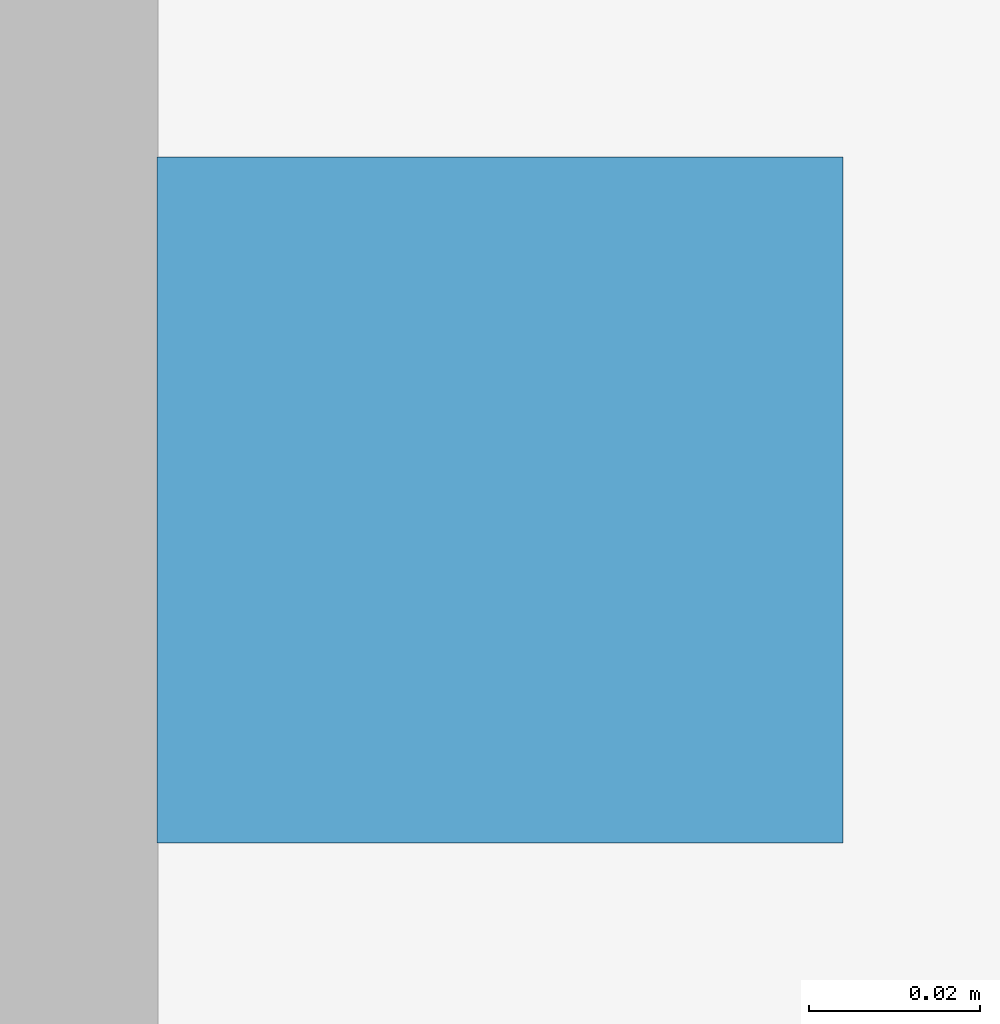
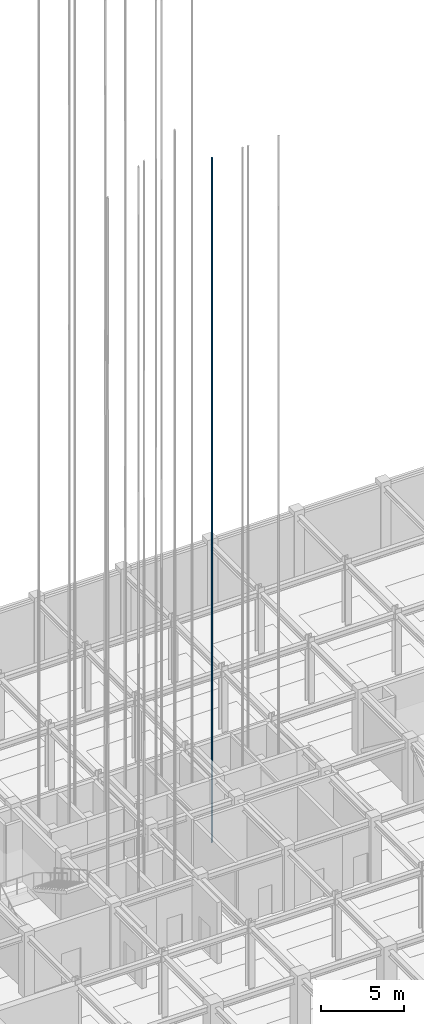
# One storey, part 64 of 69: 1 discrete accessory.
"""IFC4 building model written with IfcOpenShell, lengths in metres."""

import ifcopenshell
import ifcopenshell.guid

model = None  # the IFC model being written
_history = None  # IfcOwnerHistory: only IFC2X3 demands one
_inside = {}  # id of a spatial element -> (the spatial element, [elements in it])
_under = {}  # id of a project, library or spatial element -> (it, [spatial elements below it])
_declared = {}  # id of a project -> (the project, [libraries it declares])
_typed = {}  # id of a type object -> (the type object, [elements of that type])
_made_of = {}  # id of a material, layer set ... -> (it, [elements and type objects made of it])


def new_model(schema):
    """Start an empty IFC model of exactly this schema.

    Asked for "IFC4X3", IfcOpenShell would pick the latest addendum, in which some entities
    have other attributes; the version numbers below select the first issue.
    IFC2X3 requires an IfcOwnerHistory on every rooted entity: one is made here for all.
    """
    global model, _history
    if schema == "IFC4X3":
        model = ifcopenshell.file(schema_version=(4, 3, 0, 0))
    else:
        model = ifcopenshell.file(schema=schema)
    _inside.clear()
    _under.clear()
    _declared.clear()
    _typed.clear()
    _made_of.clear()
    _history = None
    if model.schema == "IFC2X3":
        org = make("IfcOrganization", Name="unknown")
        user = make(
            "IfcPersonAndOrganization",
            ThePerson=make("IfcPerson", FamilyName="unknown"),
            TheOrganization=org,
        )
        app = make(
            "IfcApplication",
            ApplicationDeveloper=org,
            Version="unknown",
            ApplicationFullName="unknown",
            ApplicationIdentifier="unknown",
        )
        _history = make(
            "IfcOwnerHistory",
            OwningUser=user,
            OwningApplication=app,
            ChangeAction="ADDED",
            CreationDate=0,
        )
    return model


def make(cls, **values):
    """One entity of the class cls with the attributes given. An attribute that is None is left unset."""
    return model.create_entity(
        cls, **{name: value for name, value in values.items() if value is not None}
    )


def rooted(cls, **values):
    """An entity with a GlobalId (a new one), such as an element, a storey or a relation."""
    return make(cls, GlobalId=ifcopenshell.guid.new(), OwnerHistory=_history, **values)


def si_unit(unit_type, name, prefix=None):
    """IfcSIUnit, for example si_unit("LENGTHUNIT", "METRE", prefix="MILLI")."""
    return make("IfcSIUnit", UnitType=unit_type, Prefix=prefix, Name=name)


def assignment(units):
    """IfcUnitAssignment: the units of a project."""
    return None if units is None else make("IfcUnitAssignment", Units=units)


def point(xyz):
    """IfcCartesianPoint."""
    return None if xyz is None else make("IfcCartesianPoint", Coordinates=xyz)


def direction(xyz):
    """IfcDirection."""
    return None if xyz is None else make("IfcDirection", DirectionRatios=xyz)


def frame(location, z_axis=None, x_axis=None):
    """IfcAxis2Placement3D, a coordinate frame: its origin and axes. An axis left out is left unset."""
    return make(
        "IfcAxis2Placement3D",
        Location=point(location),
        Axis=direction(z_axis),
        RefDirection=direction(x_axis),
    )


def frame_2d(location, x_axis=None):
    """IfcAxis2Placement2D, a coordinate frame in the plane: its origin and x axis."""
    return make(
        "IfcAxis2Placement2D", Location=point(location), RefDirection=direction(x_axis)
    )


def origin():
    """The frame at (0, 0, 0) with its axes left unset."""
    return frame((0.0, 0.0, 0.0))


def origin_2d():
    """The frame at (0, 0) in the plane with its x axis left unset."""
    return frame_2d((0.0, 0.0))


def place(relative_to, where):
    """IfcLocalPlacement: puts the frame where relative to a parent placement (None: the world)."""
    return make(
        "IfcLocalPlacement", PlacementRelTo=relative_to, RelativePlacement=where
    )


def context(
    kind, dimensions, precision=None, world=None, true_north=None, identifier=None
):
    """IfcGeometricRepresentationContext, for example the 3D "Model" context."""
    return make(
        "IfcGeometricRepresentationContext",
        ContextIdentifier=identifier,
        ContextType=kind,
        CoordinateSpaceDimension=dimensions,
        Precision=precision,
        WorldCoordinateSystem=world,
        TrueNorth=true_north,
    )


def subcontext(parent, identifier, kind, view, scale=None):
    """IfcGeometricRepresentationSubContext, for example "Body" below "Model"."""
    return make(
        "IfcGeometricRepresentationSubContext",
        ContextIdentifier=identifier,
        ContextType=kind,
        ParentContext=parent,
        TargetScale=scale,
        TargetView=view,
    )


def project(units=None, contexts=None):
    """IfcProject with its units and contexts."""
    return rooted(
        "IfcProject",
        Name="project",
        RepresentationContexts=contexts,
        UnitsInContext=assignment(units),
    )


def spatial(cls, under=None, at=None, **own):
    """A site, building, storey or space (cls), placed at a placement, below another one or the project."""
    s = rooted(cls, ObjectPlacement=at, **own)
    if under is not None:
        _under.setdefault(under.id(), (under, []))[1].append(s)
    return s


def profile(cls, at=None, kind="AREA", **sizes):
    """A parametric profile (cls). Its sizes go by their IFC names, for example OverallWidth=200.0."""
    return make(cls, ProfileType=kind, Position=at, **sizes)


def rectangle(**sizes):
    """IfcRectangleProfileDef."""
    return profile("IfcRectangleProfileDef", **sizes)


def extrude(swept, where, along, depth):
    """IfcExtrudedAreaSolid: the profile swept, set in the frame where, extruded along a direction by depth."""
    return make(
        "IfcExtrudedAreaSolid",
        SweptArea=swept,
        Position=where,
        ExtrudedDirection=direction(along),
        Depth=depth,
    )


def shape(context_of_items, identifier, shape_type, items):
    """IfcShapeRepresentation: the items that make up one representation, for example the "Body"."""
    return make(
        "IfcShapeRepresentation",
        ContextOfItems=context_of_items,
        RepresentationIdentifier=identifier,
        RepresentationType=shape_type,
        Items=items,
    )


def material(Name=None, Category=None):
    """IfcMaterial."""
    return make("IfcMaterial", Name=Name, Category=Category)


def made_of(thing, what):
    """Note that an element or type object is made of a material, layer set ...; save() writes the relation."""
    if what is not None:
        _made_of.setdefault(what.id(), (what, []))[1].append(thing)
    return thing


def type_object(cls, material=None, **own):
    """A type object (cls), such as IfcWallType, which elements share."""
    return made_of(rooted(cls, **own), material)


def element(
    cls,
    number,
    at=None,
    inside=None,
    cuts=None,
    type_object=None,
    material=None,
    context=None,
    identifier="Body",
    shape_type=None,
    held_by="IfcProductDefinitionShape",
    body=None,
    shapes=None,
    **own,
):
    """One element of the class cls, such as IfcWall. Its Tag is "e" and its number.

    at: its placement. inside: the storey or other place that contains it. cuts: it is an
    opening in that element (IfcRelVoidsElement). A single representation is given by context,
    identifier, shape_type and body (its items); several are given by shapes. held_by: the class
    of the entity that holds the representations. save() writes the other relations.
    """
    e = rooted(cls, Tag="e%d" % number, ObjectPlacement=at, **own)
    if body is not None:
        shapes = [shape(context, identifier, shape_type, body)]
    if shapes is not None:
        e.Representation = make(held_by, Representations=shapes)
    if inside is not None:
        _inside.setdefault(inside.id(), (inside, []))[1].append(e)
    if cuts is not None:
        rooted(
            "IfcRelVoidsElement", RelatingBuildingElement=cuts, RelatedOpeningElement=e
        )
    if type_object is not None:
        _typed.setdefault(type_object.id(), (type_object, []))[1].append(e)
    return made_of(e, material)


def aggregate(whole, parts):
    """IfcRelAggregates: a whole, such as a stair, and the parts it consists of."""
    return rooted("IfcRelAggregates", RelatingObject=whole, RelatedObjects=parts)


def save(model, path):
    """Write the relations noted so far, then the file.

    IfcRelAggregates (storeys below a building ...), IfcRelContainedInSpatialStructure (elements
    in a storey), IfcRelDefinesByType, IfcRelAssociatesMaterial and IfcRelDeclares: one each for
    every whole, place, type object, material and project.
    """
    for whole, parts in _under.values():
        aggregate(whole, parts)
    for where, things in _inside.values():
        rooted(
            "IfcRelContainedInSpatialStructure",
            RelatedElements=things,
            RelatingStructure=where,
        )
    for kind, things in _typed.values():
        rooted("IfcRelDefinesByType", RelatedObjects=things, RelatingType=kind)
    for what, things in _made_of.values():
        rooted("IfcRelAssociatesMaterial", RelatedObjects=things, RelatingMaterial=what)
    for by, libraries in _declared.values():
        rooted("IfcRelDeclares", RelatingContext=by, RelatedDefinitions=libraries)
    model.write(path)


model = new_model("IFC4")

# Units and contexts
model_context = context("Model", 3, precision=1e-05, world=origin(), true_north=direction((0.0, 1.0)))
body_context = subcontext(model_context, "Body", "Model", "MODEL_VIEW")
ifc_project = project(units=[si_unit("LENGTHUNIT", "METRE"), si_unit("AREAUNIT", "SQUARE_METRE"), si_unit("VOLUMEUNIT", "CUBIC_METRE"), si_unit("PLANEANGLEUNIT", "RADIAN"), si_unit("MASSUNIT", "GRAM", prefix="KILO")], contexts=[model_context])

# Site, building, storey
site_placement = place(None, origin())
site = spatial("IfcSite", under=ifc_project, at=site_placement, CompositionType="ELEMENT")
building_placement = place(site_placement, origin())
building = spatial("IfcBuilding", under=site, at=building_placement, Name="Zlatovratsky Civic Hall", CompositionType="ELEMENT")
storey_placement = place(building_placement, frame((0.0, 0.0, -4.800048828125)))
storey = spatial("IfcBuildingStorey", under=building, at=storey_placement, Name="B1", CompositionType="ELEMENT", Elevation=-4.800048828125)

# Discrete accessory
ifc_material = material(Name="Steel S355", Category="steel")
discrete_accessory_type = type_object("IfcDiscreteAccessoryType", Name="Lift_GuideRail", PredefinedType="USERDEFINED", material=ifc_material)
discrete_accessory_placement = place(storey_placement, frame((84.68994140625, 94.14990234375, -1.60009765625), z_axis=(0.0, 0.0, 1.0), x_axis=(1.0, 0.0, 0.0)))
element("IfcDiscreteAccessory", 1, at=discrete_accessory_placement, inside=storey, type_object=discrete_accessory_type, Name="Lift Guide Rail LP-05 L", ObjectType="GUIDE RAIL", PredefinedType="USERDEFINED", context=body_context, shape_type="SweptSolid", body=[
    extrude(rectangle(XDim=0.080078125, YDim=0.080078125, at=origin_2d()), origin(), (0.0, 0.0, 1.0), 50.10009765625),
])

save(model, "model.ifc")
